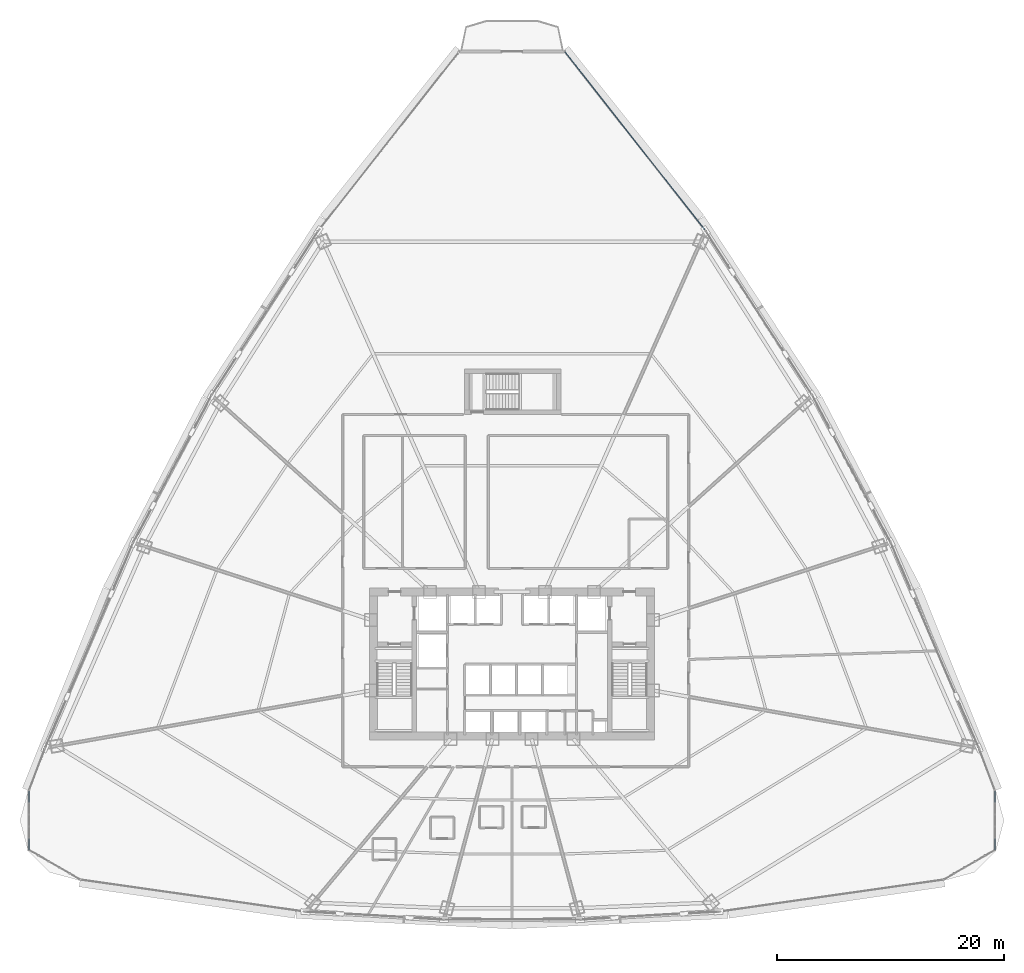
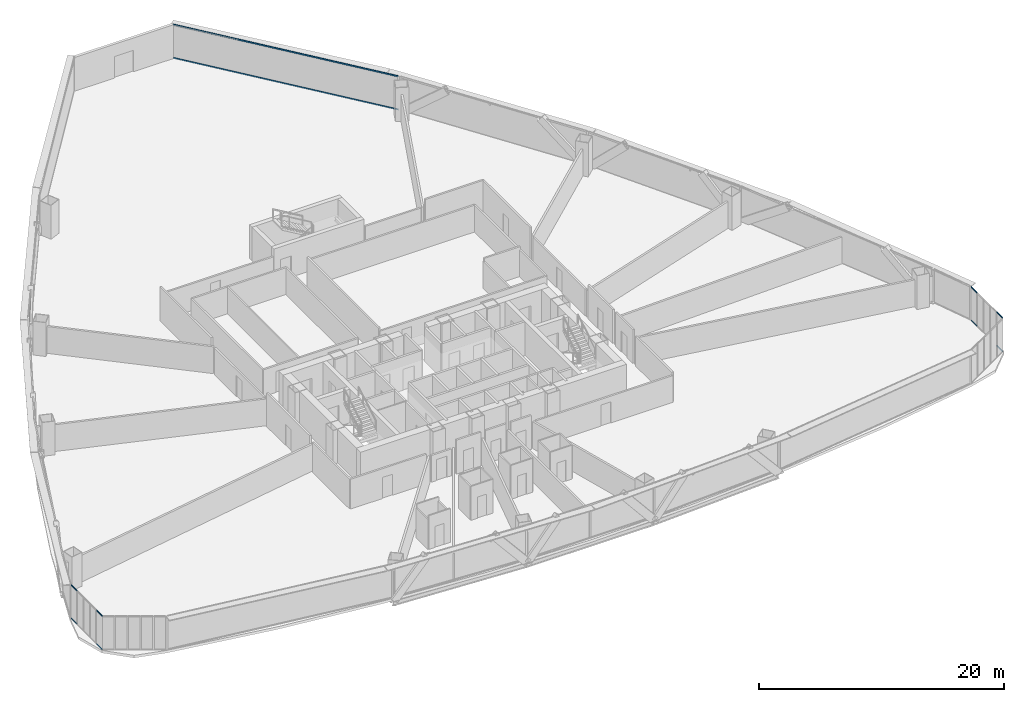
# One storey, part 28 of 41: 10 members, 3 elements without a shape of their own.
"""IFC4 building model written with IfcOpenShell, lengths in metres."""

from ifc_helpers import new_model, si_unit, direction, frame, origin, origin_2d, place, context, subcontext, project, spatial, hollow_rectangle, extrude, source, transform, mapped, material, layer, layer_set, material_profile, profile_set, type_object, element, aggregate, save


model = new_model("IFC4")

# Units and contexts
model_context = context("Model", 3, precision=1e-05, world=origin(), true_north=direction((0.0, 1.0)))
body_context = subcontext(model_context, "Body", "Model", "MODEL_VIEW")
ifc_project = project(units=[si_unit("LENGTHUNIT", "METRE"), si_unit("AREAUNIT", "SQUARE_METRE"), si_unit("VOLUMEUNIT", "CUBIC_METRE"), si_unit("PLANEANGLEUNIT", "RADIAN"), si_unit("MASSUNIT", "GRAM", prefix="KILO"), si_unit("THERMODYNAMICTEMPERATUREUNIT", "KELVIN"), si_unit("POWERUNIT", "WATT")], contexts=[model_context])

# Site, building, storey
site_placement = place(None, origin())
site = spatial("IfcSite", under=ifc_project, at=site_placement, CompositionType="ELEMENT")
building_placement = place(site_placement, origin())
building = spatial("IfcBuilding", under=site, at=building_placement, Name="Yunzhuo Pagoda Commons", CompositionType="ELEMENT")
storey_placement = place(building_placement, frame((0.0, 0.0, 63.070068359375)))
storey = spatial("IfcBuildingStorey", under=building, at=storey_placement, Name="L16", CompositionType="ELEMENT", Elevation=63.070068359375)

# Curtain wall, members
ifc_material = material(Name="Anodized aluminium 6063-T6", Category="aluminium")
ifc_layer_1 = layer(ifc_material, 0.1650390625)
ifc_layer_set_1 = layer_set([ifc_layer_1], Name="Anodized aluminium 6063-T6")
curtain_wall_type_1 = type_object("IfcCurtainWallType", Name="CW-LOW Low-Zone Ribbon Curtain Wall", PredefinedType="NOTDEFINED", material=ifc_layer_set_1)
curtain_wall_1_placement = place(storey_placement, origin())
curtain_wall_1 = element("IfcCurtainWall", 1, at=curtain_wall_1_placement, inside=storey, type_object=curtain_wall_type_1, Name="L16 curtain wall CW-L16-F2B5", PredefinedType="NOTDEFINED")
ifc_material_profile_1 = material_profile(ifc_material, hollow_rectangle(XDim=0.06005859375, YDim=0.139892578125, WallThickness=0.00341796875, at=origin_2d()), Name="Anodized aluminium 6063-T6")
ifc_profile_set_1 = profile_set([ifc_material_profile_1], Name="Anodized aluminium 6063-T6")
member_type_1 = type_object("IfcMemberType", Name="CW-LOW-T Transom RHS 140x60x3.5", PredefinedType="USERDEFINED", material=ifc_profile_set_1)
shared_shape_1 = source(origin(), body_context, "Body", "SweptSolid", [
    extrude(hollow_rectangle(XDim=0.06005859375, YDim=0.139892578125, WallThickness=0.00341796875, at=origin_2d()), origin(), (0.0, 0.0, 1.0), 19.85400390625),
])
member_1_placement = place(storey_placement, frame((64.951416015625, 72.077880859375, 0.030029296875), z_axis=(-0.618169601728, 0.786044746499, 0.0), x_axis=(-0.786044746499, -0.618169601728, 0.0)))
member_1 = element("IfcMember", 2, at=member_1_placement, type_object=member_type_1, Name="CW transom 1.1", ObjectType="TRANSOM", PredefinedType="USERDEFINED", context=body_context, shape_type="MappedRepresentation", body=[
    mapped(shared_shape_1, transform((0.0, 0.0, 0.0), scale=1.0)),
])
member_2_placement = place(storey_placement, frame((64.951416015625, 72.077880859375, 3.33984375), z_axis=(-0.618169601728, 0.786044746499, 0.0), x_axis=(-0.786044746499, -0.618169601728, 0.0)))
member_2 = element("IfcMember", 3, at=member_2_placement, type_object=member_type_1, Name="CW transom 1.2", ObjectType="TRANSOM", PredefinedType="USERDEFINED", context=body_context, shape_type="MappedRepresentation", body=[
    mapped(shared_shape_1, transform((0.0, 0.0, 0.0), scale=1.0)),
])
aggregate(curtain_wall_1, [member_1, member_2])

ifc_layer_2 = layer(ifc_material, 0.1298828125)
ifc_layer_set_2 = layer_set([ifc_layer_2], Name="Anodized aluminium 6063-T6")
curtain_wall_type_2 = type_object("IfcCurtainWallType", Name="CW-VTX Rounded Corner Curtain Wall", PredefinedType="NOTDEFINED", material=ifc_layer_set_2)
curtain_wall_2_placement = place(storey_placement, origin())
curtain_wall_2 = element("IfcCurtainWall", 4, at=curtain_wall_2_placement, inside=storey, type_object=curtain_wall_type_2, Name="L16 curtain wall CW-L16-VTX1S1", PredefinedType="NOTDEFINED")
ifc_material_profile_2 = material_profile(ifc_material, hollow_rectangle(XDim=0.054931640625, YDim=0.1201171875, WallThickness=0.00341796875, at=origin_2d()), Name="Anodized aluminium 6063-T6")
ifc_profile_set_2 = profile_set([ifc_material_profile_2], Name="Anodized aluminium 6063-T6")
member_type_2 = type_object("IfcMemberType", Name="CW-VTX-T Transom RHS 120x55x3.5", PredefinedType="USERDEFINED", material=ifc_profile_set_2)
shared_shape_2 = source(origin(), body_context, "Body", "SweptSolid", [
    extrude(hollow_rectangle(XDim=0.054931640625, YDim=0.1201171875, WallThickness=0.00341796875, at=origin_2d()), origin(), (0.0, 0.0, 1.0), 0.9716796875),
])
member_3_placement = place(storey_placement, frame((5.5029296875, 22.6533203125, 0.02734375), z_axis=(-0.003768817455, -0.999992897982, 0.0), x_axis=(0.999992897982, -0.003768817455, 0.0)))
member_3 = element("IfcMember", 5, at=member_3_placement, type_object=member_type_2, Name="CW transom 1.1", ObjectType="TRANSOM", PredefinedType="USERDEFINED", context=body_context, shape_type="MappedRepresentation", body=[
    mapped(shared_shape_2, transform((0.0, 0.0, 0.0), scale=1.0)),
])
member_4_placement = place(storey_placement, frame((5.5029296875, 22.6533203125, 3.342529296875), z_axis=(-0.003768817455, -0.999992897982, 0.0), x_axis=(0.999992897982, -0.003768817455, 0.0)))
member_4 = element("IfcMember", 6, at=member_4_placement, type_object=member_type_2, Name="CW transom 1.2", ObjectType="TRANSOM", PredefinedType="USERDEFINED", context=body_context, shape_type="MappedRepresentation", body=[
    mapped(shared_shape_2, transform((0.0, 0.0, 0.0), scale=1.0)),
])

curtain_wall_3_placement = place(storey_placement, origin())
curtain_wall_3 = element("IfcCurtainWall", 7, at=curtain_wall_3_placement, inside=storey, type_object=curtain_wall_type_2, Name="L16 curtain wall CW-L16-VTX2S2", PredefinedType="NOTDEFINED")
member_5_placement = place(storey_placement, frame((90.500732421875, 21.681640625, 0.02734375), z_axis=(-0.003266314234, 0.999994665581, 0.0), x_axis=(-0.999994665581, -0.003266314234, 0.0)))
member_5 = element("IfcMember", 8, at=member_5_placement, type_object=member_type_2, Name="CW transom 5.1", ObjectType="TRANSOM", PredefinedType="USERDEFINED", context=body_context, shape_type="MappedRepresentation", body=[
    mapped(shared_shape_2, transform((0.0, 0.0, 0.0), scale=1.0)),
])
member_6_placement = place(storey_placement, frame((90.500732421875, 21.681640625, 3.342529296875), z_axis=(-0.003266314234, 0.999994665581, 0.0), x_axis=(-0.999994665581, -0.003266314234, 0.0)))
member_6 = element("IfcMember", 9, at=member_6_placement, type_object=member_type_2, Name="CW transom 5.2", ObjectType="TRANSOM", PredefinedType="USERDEFINED", context=body_context, shape_type="MappedRepresentation", body=[
    mapped(shared_shape_2, transform((0.0, 0.0, 0.0), scale=1.0)),
])

# Member
shared_shape_3 = source(origin(), body_context, "Body", "SweptSolid", [
    extrude(hollow_rectangle(XDim=0.054931640625, YDim=0.1201171875, WallThickness=0.00341796875, at=origin_2d()), origin(), (0.0, 0.0, 1.0), 0.971435546875),
])
member_7_placement = place(storey_placement, frame((5.48779296875, 18.4638671875, 0.02734375), z_axis=(-0.003769764618, -0.999992894412, 0.0), x_axis=(0.999992894412, -0.003769764618, 0.0)))
member_7 = element("IfcMember", 10, at=member_7_placement, type_object=member_type_2, Name="CW transom 5.1", ObjectType="TRANSOM", PredefinedType="USERDEFINED", context=body_context, shape_type="MappedRepresentation", body=[
    mapped(shared_shape_3, transform((0.0, 0.0, 0.0), scale=1.0)),
])

member_8_placement = place(storey_placement, frame((5.48779296875, 18.4638671875, 3.342529296875), z_axis=(-0.003769764618, -0.999992894412, 0.0), x_axis=(0.999992894412, -0.003769764618, 0.0)))
member_8 = element("IfcMember", 11, at=member_8_placement, type_object=member_type_2, Name="CW transom 5.2", ObjectType="TRANSOM", PredefinedType="USERDEFINED", context=body_context, shape_type="MappedRepresentation", body=[
    mapped(shared_shape_3, transform((0.0, 0.0, 0.0), scale=1.0)),
])

aggregate(curtain_wall_2, [member_3, member_4, member_7, member_8])

member_9_placement = place(storey_placement, frame((90.515869140625, 17.492431640625, 0.02734375), z_axis=(-0.003769764618, 0.999992894412, 0.0), x_axis=(-0.999992894412, -0.003769764618, 0.0)))
member_9 = element("IfcMember", 12, at=member_9_placement, type_object=member_type_2, Name="CW transom 1.1", ObjectType="TRANSOM", PredefinedType="USERDEFINED", context=body_context, shape_type="MappedRepresentation", body=[
    mapped(shared_shape_3, transform((0.0, 0.0, 0.0), scale=1.0)),
])

member_10_placement = place(storey_placement, frame((90.515869140625, 17.492431640625, 3.342529296875), z_axis=(-0.003769764618, 0.999992894412, 0.0), x_axis=(-0.999992894412, -0.003769764618, 0.0)))
member_10 = element("IfcMember", 13, at=member_10_placement, type_object=member_type_2, Name="CW transom 1.2", ObjectType="TRANSOM", PredefinedType="USERDEFINED", context=body_context, shape_type="MappedRepresentation", body=[
    mapped(shared_shape_3, transform((0.0, 0.0, 0.0), scale=1.0)),
])

aggregate(curtain_wall_3, [member_9, member_10, member_5, member_6])

save(model, "model.ifc")
